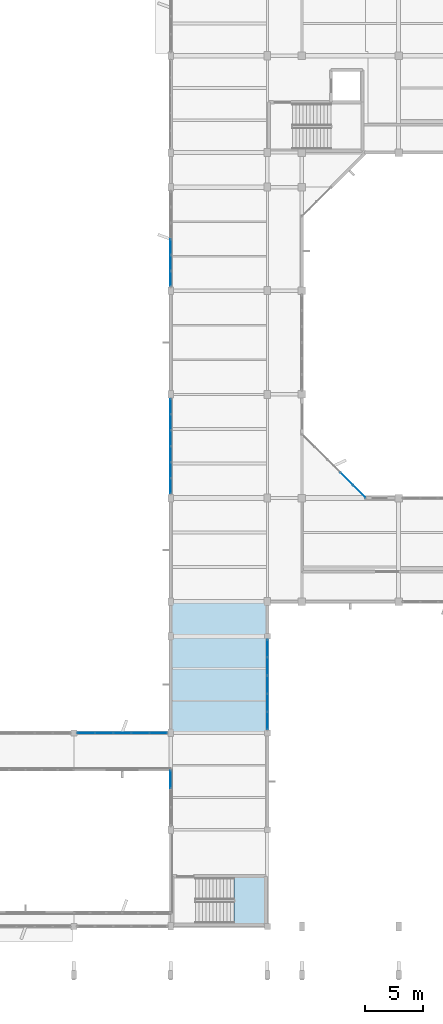
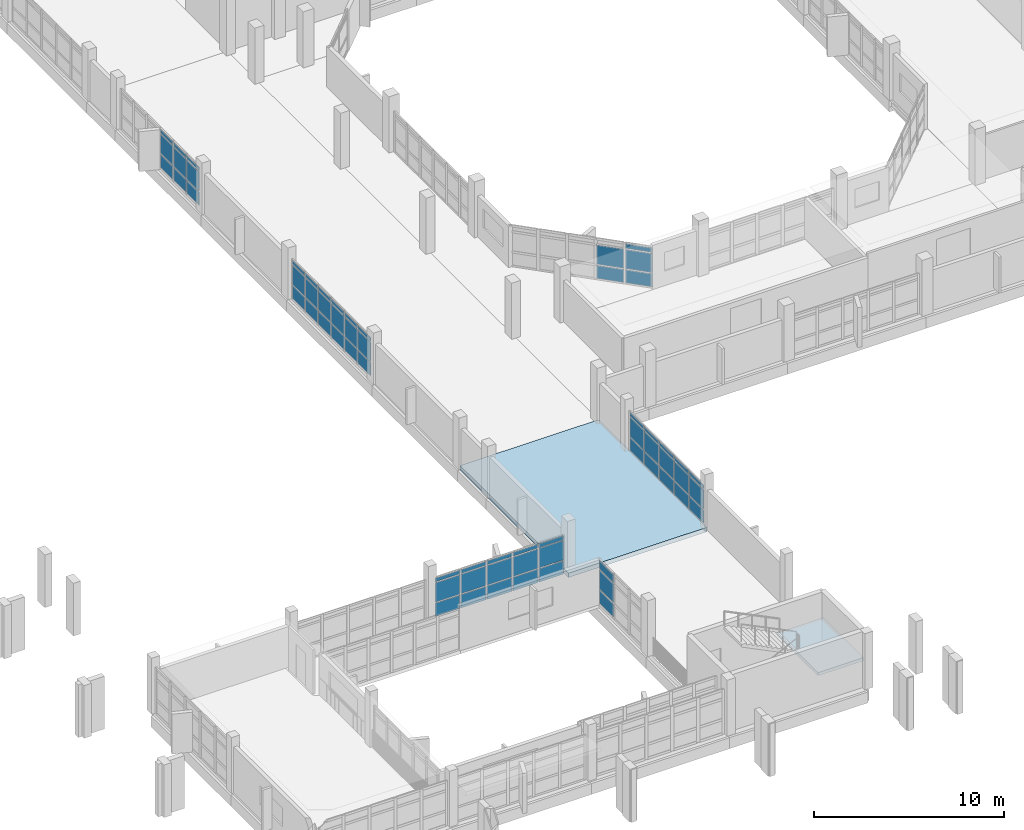
# One storey, part 51 of 104: 65 plates, 2 slabs, 7 elements without a shape of their own.
"""IFC4 building model written with IfcOpenShell, lengths in metres."""

from ifc_helpers import new_model, si_unit, direction, frame, origin, origin_2d, place, context, subcontext, project, spatial, polyline, rectangle, outline, extrude, material, layer, layer_set, type_object, element, aggregate, save


model = new_model("IFC4")

# Units and contexts
model_context = context("Model", 3, precision=1e-05, world=origin(), true_north=direction((0.0, 1.0)))
body_context = subcontext(model_context, "Body", "Model", "MODEL_VIEW")
ifc_project = project(units=[si_unit("LENGTHUNIT", "METRE"), si_unit("AREAUNIT", "SQUARE_METRE"), si_unit("VOLUMEUNIT", "CUBIC_METRE"), si_unit("PLANEANGLEUNIT", "RADIAN"), si_unit("MASSUNIT", "GRAM", prefix="KILO")], contexts=[model_context])

# Site, building, storey
site_placement = place(None, origin())
site = spatial("IfcSite", under=ifc_project, at=site_placement, CompositionType="ELEMENT")
building_placement = place(site_placement, origin())
building = spatial("IfcBuilding", under=site, at=building_placement, Name="Vanh Quang Courtyard School", CompositionType="ELEMENT")
storey_placement = place(building_placement, frame((0.0, 0.0, 4.199951171875)))
storey = spatial("IfcBuildingStorey", under=building, at=storey_placement, Name="L01", CompositionType="ELEMENT", Elevation=4.199951171875)

# Curtain wall, plates
ifc_material_1 = material(Name="Thermally broken aluminium unitised curtain wall", Category="aluminium")
curtain_wall_type_1 = type_object("IfcCurtainWallType", Name="CW-SYS-20", PredefinedType="NOTDEFINED", material=ifc_material_1)
curtain_wall_1_placement = place(storey_placement, origin())
curtain_wall_1 = element("IfcCurtainWall", 1, at=curtain_wall_1_placement, inside=storey, type_object=curtain_wall_type_1, Name="Curtain Wall CW-20 (L01)", PredefinedType="NOTDEFINED")
ifc_material_2 = material(Name="Low-E laminated double glazing", Category="glass")
ifc_layer_1 = layer(ifc_material_2, 0.028076171875)
ifc_layer_set_1 = layer_set([ifc_layer_1], Name="Low-E laminated double glazing")
plate_type_1 = type_object("IfcPlateType", Name="CW-PNL-28", PredefinedType="CURTAIN_PANEL", material=ifc_layer_set_1)
plate_1_placement = place(storey_placement, frame((29.39990234375, 42.445068359375, 0.06982421875), z_axis=(0.0, 0.0, 1.0), x_axis=(0.0, 1.0, 0.0)))
plate_1 = element("IfcPlate", 2, at=plate_1_placement, type_object=plate_type_1, Name="CW-20 panel 1.1", PredefinedType="CURTAIN_PANEL", context=body_context, shape_type="SweptSolid", body=[
    extrude(rectangle(XDim=1.283935546875, YDim=0.028076171875, at=origin_2d()), origin(), (0.0, 0.0, 1.0), 0.844970703125),
])
plate_2_placement = place(storey_placement, frame((29.39990234375, 42.445068359375, 0.985107421875), z_axis=(0.0, 0.0, 1.0), x_axis=(0.0, 1.0, 0.0)))
plate_2 = element("IfcPlate", 3, at=plate_2_placement, type_object=plate_type_1, Name="CW-20 panel 1.2", PredefinedType="CURTAIN_PANEL", context=body_context, shape_type="SweptSolid", body=[
    extrude(rectangle(XDim=1.283935546875, YDim=0.028076171875, at=origin_2d()), origin(), (0.0, 0.0, 1.0), 1.22998046875),
])
plate_3_placement = place(storey_placement, frame((29.39990234375, 42.445068359375, 2.284912109375), z_axis=(0.0, 0.0, 1.0), x_axis=(0.0, 1.0, 0.0)))
plate_3 = element("IfcPlate", 4, at=plate_3_placement, type_object=plate_type_1, Name="CW-20 panel 1.3", PredefinedType="CURTAIN_PANEL", context=body_context, shape_type="SweptSolid", body=[
    extrude(rectangle(XDim=1.283935546875, YDim=0.028076171875, at=origin_2d()), origin(), (0.0, 0.0, 1.0), 0.22509765625),
])
plate_4_placement = place(storey_placement, frame((29.39990234375, 43.81640625, 0.06982421875), z_axis=(0.0, 0.0, 1.0), x_axis=(0.0, 1.0, 0.0)))
plate_4 = element("IfcPlate", 5, at=plate_4_placement, type_object=plate_type_1, Name="CW-20 panel 2.1", PredefinedType="CURTAIN_PANEL", context=body_context, shape_type="SweptSolid", body=[
    extrude(rectangle(XDim=1.319091796875, YDim=0.028076171875, at=origin_2d()), origin(), (0.0, 0.0, 1.0), 0.844970703125),
])
plate_5_placement = place(storey_placement, frame((29.39990234375, 43.81640625, 0.985107421875), z_axis=(0.0, 0.0, 1.0), x_axis=(0.0, 1.0, 0.0)))
plate_5 = element("IfcPlate", 6, at=plate_5_placement, type_object=plate_type_1, Name="CW-20 panel 2.2", PredefinedType="CURTAIN_PANEL", context=body_context, shape_type="SweptSolid", body=[
    extrude(rectangle(XDim=1.319091796875, YDim=0.028076171875, at=origin_2d()), origin(), (0.0, 0.0, 1.0), 1.22998046875),
])
plate_6_placement = place(storey_placement, frame((29.39990234375, 43.81640625, 2.284912109375), z_axis=(0.0, 0.0, 1.0), x_axis=(0.0, 1.0, 0.0)))
plate_6 = element("IfcPlate", 7, at=plate_6_placement, type_object=plate_type_1, Name="CW-20 panel 2.3", PredefinedType="CURTAIN_PANEL", context=body_context, shape_type="SweptSolid", body=[
    extrude(rectangle(XDim=1.319091796875, YDim=0.028076171875, at=origin_2d()), origin(), (0.0, 0.0, 1.0), 0.22509765625),
])
plate_7_placement = place(storey_placement, frame((29.39990234375, 45.20556640625, 0.06982421875), z_axis=(0.0, 0.0, 1.0), x_axis=(0.0, 1.0, 0.0)))
plate_7 = element("IfcPlate", 8, at=plate_7_placement, type_object=plate_type_1, Name="CW-20 panel 3.1", PredefinedType="CURTAIN_PANEL", context=body_context, shape_type="SweptSolid", body=[
    extrude(rectangle(XDim=1.319091796875, YDim=0.028076171875, at=origin_2d()), origin(), (0.0, 0.0, 1.0), 0.844970703125),
])
plate_8_placement = place(storey_placement, frame((29.39990234375, 45.20556640625, 0.985107421875), z_axis=(0.0, 0.0, 1.0), x_axis=(0.0, 1.0, 0.0)))
plate_8 = element("IfcPlate", 9, at=plate_8_placement, type_object=plate_type_1, Name="CW-20 panel 3.2", PredefinedType="CURTAIN_PANEL", context=body_context, shape_type="SweptSolid", body=[
    extrude(rectangle(XDim=1.319091796875, YDim=0.028076171875, at=origin_2d()), origin(), (0.0, 0.0, 1.0), 1.22998046875),
])
plate_9_placement = place(storey_placement, frame((29.39990234375, 45.20556640625, 2.284912109375), z_axis=(0.0, 0.0, 1.0), x_axis=(0.0, 1.0, 0.0)))
plate_9 = element("IfcPlate", 10, at=plate_9_placement, type_object=plate_type_1, Name="CW-20 panel 3.3", PredefinedType="CURTAIN_PANEL", context=body_context, shape_type="SweptSolid", body=[
    extrude(rectangle(XDim=1.319091796875, YDim=0.028076171875, at=origin_2d()), origin(), (0.0, 0.0, 1.0), 0.22509765625),
])
plate_10_placement = place(storey_placement, frame((29.39990234375, 46.594482421875, 0.06982421875), z_axis=(0.0, 0.0, 1.0), x_axis=(0.0, 1.0, 0.0)))
plate_10 = element("IfcPlate", 11, at=plate_10_placement, type_object=plate_type_1, Name="CW-20 panel 4.1", PredefinedType="CURTAIN_PANEL", context=body_context, shape_type="SweptSolid", body=[
    extrude(rectangle(XDim=1.319091796875, YDim=0.028076171875, at=origin_2d()), origin(), (0.0, 0.0, 1.0), 0.844970703125),
])
plate_11_placement = place(storey_placement, frame((29.39990234375, 46.594482421875, 0.985107421875), z_axis=(0.0, 0.0, 1.0), x_axis=(0.0, 1.0, 0.0)))
plate_11 = element("IfcPlate", 12, at=plate_11_placement, type_object=plate_type_1, Name="CW-20 panel 4.2", PredefinedType="CURTAIN_PANEL", context=body_context, shape_type="SweptSolid", body=[
    extrude(rectangle(XDim=1.319091796875, YDim=0.028076171875, at=origin_2d()), origin(), (0.0, 0.0, 1.0), 1.22998046875),
])
plate_12_placement = place(storey_placement, frame((29.39990234375, 46.594482421875, 2.284912109375), z_axis=(0.0, 0.0, 1.0), x_axis=(0.0, 1.0, 0.0)))
plate_12 = element("IfcPlate", 13, at=plate_12_placement, type_object=plate_type_1, Name="CW-20 panel 4.3", PredefinedType="CURTAIN_PANEL", context=body_context, shape_type="SweptSolid", body=[
    extrude(rectangle(XDim=1.319091796875, YDim=0.028076171875, at=origin_2d()), origin(), (0.0, 0.0, 1.0), 0.22509765625),
])
plate_13_placement = place(storey_placement, frame((29.39990234375, 47.9833984375, 0.06982421875), z_axis=(0.0, 0.0, 1.0), x_axis=(0.0, 1.0, 0.0)))
plate_13 = element("IfcPlate", 14, at=plate_13_placement, type_object=plate_type_1, Name="CW-20 panel 5.1", PredefinedType="CURTAIN_PANEL", context=body_context, shape_type="SweptSolid", body=[
    extrude(rectangle(XDim=1.319091796875, YDim=0.028076171875, at=origin_2d()), origin(), (0.0, 0.0, 1.0), 0.844970703125),
])
plate_14_placement = place(storey_placement, frame((29.39990234375, 47.9833984375, 0.985107421875), z_axis=(0.0, 0.0, 1.0), x_axis=(0.0, 1.0, 0.0)))
plate_14 = element("IfcPlate", 15, at=plate_14_placement, type_object=plate_type_1, Name="CW-20 panel 5.2", PredefinedType="CURTAIN_PANEL", context=body_context, shape_type="SweptSolid", body=[
    extrude(rectangle(XDim=1.319091796875, YDim=0.028076171875, at=origin_2d()), origin(), (0.0, 0.0, 1.0), 1.22998046875),
])
plate_15_placement = place(storey_placement, frame((29.39990234375, 47.9833984375, 2.284912109375), z_axis=(0.0, 0.0, 1.0), x_axis=(0.0, 1.0, 0.0)))
plate_15 = element("IfcPlate", 16, at=plate_15_placement, type_object=plate_type_1, Name="CW-20 panel 5.3", PredefinedType="CURTAIN_PANEL", context=body_context, shape_type="SweptSolid", body=[
    extrude(rectangle(XDim=1.319091796875, YDim=0.028076171875, at=origin_2d()), origin(), (0.0, 0.0, 1.0), 0.22509765625),
])
plate_16_placement = place(storey_placement, frame((29.39990234375, 49.35498046875, 0.06982421875), z_axis=(0.0, 0.0, 1.0), x_axis=(0.0, 1.0, 0.0)))
plate_16 = element("IfcPlate", 17, at=plate_16_placement, type_object=plate_type_1, Name="CW-20 panel 6.1", PredefinedType="CURTAIN_PANEL", context=body_context, shape_type="SweptSolid", body=[
    extrude(rectangle(XDim=1.283935546875, YDim=0.028076171875, at=origin_2d()), origin(), (0.0, 0.0, 1.0), 0.844970703125),
])
plate_17_placement = place(storey_placement, frame((29.39990234375, 49.35498046875, 0.985107421875), z_axis=(0.0, 0.0, 1.0), x_axis=(0.0, 1.0, 0.0)))
plate_17 = element("IfcPlate", 18, at=plate_17_placement, type_object=plate_type_1, Name="CW-20 panel 6.2", PredefinedType="CURTAIN_PANEL", context=body_context, shape_type="SweptSolid", body=[
    extrude(rectangle(XDim=1.283935546875, YDim=0.028076171875, at=origin_2d()), origin(), (0.0, 0.0, 1.0), 1.22998046875),
])
plate_18_placement = place(storey_placement, frame((29.39990234375, 49.35498046875, 2.284912109375), z_axis=(0.0, 0.0, 1.0), x_axis=(0.0, 1.0, 0.0)))
plate_18 = element("IfcPlate", 19, at=plate_18_placement, type_object=plate_type_1, Name="CW-20 panel 6.3", PredefinedType="CURTAIN_PANEL", context=body_context, shape_type="SweptSolid", body=[
    extrude(rectangle(XDim=1.283935546875, YDim=0.028076171875, at=origin_2d()), origin(), (0.0, 0.0, 1.0), 0.22509765625),
])
aggregate(curtain_wall_1, [plate_1, plate_2, plate_3, plate_4, plate_5, plate_6, plate_7, plate_8, plate_9, plate_10, plate_11, plate_12, plate_13, plate_14, plate_15, plate_16, plate_17, plate_18])

curtain_wall_type_2 = type_object("IfcCurtainWallType", Name="CW-SYS-32", PredefinedType="NOTDEFINED", material=ifc_material_1)
curtain_wall_2_placement = place(storey_placement, origin())
curtain_wall_2 = element("IfcCurtainWall", 20, at=curtain_wall_2_placement, inside=storey, type_object=curtain_wall_type_2, Name="Curtain Wall CW-32 (L01)", PredefinedType="NOTDEFINED")
plate_19_placement = place(storey_placement, frame((29.39990234375, 16.96875, 0.080078125), z_axis=(0.0, 0.0, 1.0), x_axis=(0.0, 1.0, 0.0)))
plate_19 = element("IfcPlate", 21, at=plate_19_placement, type_object=plate_type_1, Name="CW-32 panel 3.1", PredefinedType="CURTAIN_PANEL", context=body_context, shape_type="SweptSolid", body=[
    extrude(rectangle(XDim=1.50244140625, YDim=0.028076171875, at=origin_2d()), origin(), (0.0, 0.0, 1.0), 0.830078125),
])
plate_20_placement = place(storey_placement, frame((29.39990234375, 16.96875, 0.990234375), z_axis=(0.0, 0.0, 1.0), x_axis=(0.0, 1.0, 0.0)))
plate_20 = element("IfcPlate", 22, at=plate_20_placement, type_object=plate_type_1, Name="CW-32 panel 3.2", PredefinedType="CURTAIN_PANEL", context=body_context, shape_type="SweptSolid", body=[
    extrude(rectangle(XDim=1.50244140625, YDim=0.028076171875, at=origin_2d()), origin(), (0.0, 0.0, 1.0), 1.219970703125),
])
plate_21_placement = place(storey_placement, frame((29.39990234375, 16.96875, 2.2900390625), z_axis=(0.0, 0.0, 1.0), x_axis=(0.0, 1.0, 0.0)))
plate_21 = element("IfcPlate", 23, at=plate_21_placement, type_object=plate_type_1, Name="CW-32 panel 3.3", PredefinedType="CURTAIN_PANEL", context=body_context, shape_type="SweptSolid", body=[
    extrude(rectangle(XDim=1.50244140625, YDim=0.028076171875, at=origin_2d()), origin(), (0.0, 0.0, 1.0), 0.510009765625),
])
aggregate(curtain_wall_2, [plate_19, plate_20, plate_21])

curtain_wall_type_3 = type_object("IfcCurtainWallType", Name="CW-SYS-24", PredefinedType="NOTDEFINED", material=ifc_material_1)
curtain_wall_3_placement = place(storey_placement, origin())
curtain_wall_3 = element("IfcCurtainWall", 24, at=curtain_wall_3_placement, inside=storey, type_object=curtain_wall_type_3, Name="Curtain Wall CW-24 (L01)", PredefinedType="NOTDEFINED")
plate_22_placement = place(storey_placement, frame((44.680908203125, 43.063232421875, 0.06982421875), z_axis=(0.0, 0.0, 1.0), x_axis=(0.707106781187, -0.707106781187, 0.0)))
plate_22 = element("IfcPlate", 25, at=plate_22_placement, type_object=plate_type_1, Name="CW-24 panel 4.1", PredefinedType="CURTAIN_PANEL", context=body_context, shape_type="SweptSolid", body=[
    extrude(rectangle(XDim=1.498046875, YDim=0.028076171875, at=origin_2d()), origin(), (0.0, 0.0, 1.0), 0.844970703125),
])
plate_23_placement = place(storey_placement, frame((44.680908203125, 43.063232421875, 0.985107421875), z_axis=(0.0, 0.0, 1.0), x_axis=(0.707106781187, -0.707106781187, 0.0)))
plate_23 = element("IfcPlate", 26, at=plate_23_placement, type_object=plate_type_1, Name="CW-24 panel 4.2", PredefinedType="CURTAIN_PANEL", context=body_context, shape_type="SweptSolid", body=[
    extrude(rectangle(XDim=1.498046875, YDim=0.028076171875, at=origin_2d()), origin(), (0.0, 0.0, 1.0), 1.22998046875),
])
plate_24_placement = place(storey_placement, frame((45.77734375, 41.966796875, 0.06982421875), z_axis=(0.0, 0.0, 1.0), x_axis=(0.707106781187, -0.707106781187, 0.0)))
plate_24 = element("IfcPlate", 27, at=plate_24_placement, type_object=plate_type_1, Name="CW-24 panel 5.1", PredefinedType="CURTAIN_PANEL", context=body_context, shape_type="SweptSolid", body=[
    extrude(rectangle(XDim=1.463134765625, YDim=0.028076171875, at=origin_2d()), origin(), (0.0, 0.0, 1.0), 0.844970703125),
])
plate_25_placement = place(storey_placement, frame((45.77734375, 41.966796875, 0.985107421875), z_axis=(0.0, 0.0, 1.0), x_axis=(0.707106781187, -0.707106781187, 0.0)))
plate_25 = element("IfcPlate", 28, at=plate_25_placement, type_object=plate_type_1, Name="CW-24 panel 5.2", PredefinedType="CURTAIN_PANEL", context=body_context, shape_type="SweptSolid", body=[
    extrude(rectangle(XDim=1.463134765625, YDim=0.028076171875, at=origin_2d()), origin(), (0.0, 0.0, 1.0), 1.22998046875),
])
plate_26_placement = place(storey_placement, frame((45.77734375, 41.966796875, 2.28515625), z_axis=(0.0, 0.0, 1.0), x_axis=(0.707106781187, -0.707106781187, 0.0)))
plate_26 = element("IfcPlate", 29, at=plate_26_placement, type_object=plate_type_1, Name="CW-24 panel 5.3", PredefinedType="CURTAIN_PANEL", context=body_context, shape_type="SweptSolid", body=[
    extrude(rectangle(XDim=1.463134765625, YDim=0.028076171875, at=origin_2d()), origin(), (0.0, 0.0, 1.0), 0.294921875),
])
aggregate(curtain_wall_3, [plate_22, plate_23, plate_24, plate_25, plate_26])

curtain_wall_type_4 = type_object("IfcCurtainWallType", Name="CW-SYS-19", PredefinedType="NOTDEFINED", material=ifc_material_1)
curtain_wall_4_placement = place(storey_placement, origin())
curtain_wall_4 = element("IfcCurtainWall", 30, at=curtain_wall_4_placement, inside=storey, type_object=curtain_wall_type_4, Name="Curtain Wall CW-19 (L01)", PredefinedType="NOTDEFINED")
ifc_layer_2 = layer(ifc_material_2, 0.031982421875)
ifc_layer_set_2 = layer_set([ifc_layer_2], Name="Low-E laminated double glazing")
plate_type_2 = type_object("IfcPlateType", Name="CW-PNL-32", PredefinedType="CURTAIN_PANEL", material=ifc_layer_set_2)
plate_27_placement = place(storey_placement, frame((22.061279296875, 21.0, 0.06005859375), z_axis=(0.0, 0.0, 1.0), x_axis=(1.0, 0.0, 0.0)))
plate_27 = element("IfcPlate", 31, at=plate_27_placement, type_object=plate_type_2, Name="CW-19 panel 1.1", PredefinedType="CURTAIN_PANEL", context=body_context, shape_type="SweptSolid", body=[
    extrude(rectangle(XDim=1.48681640625, YDim=0.031982421875, at=origin_2d()), origin(), (0.0, 0.0, 1.0), 0.860107421875),
])
plate_28_placement = place(storey_placement, frame((22.061279296875, 21.0, 0.97998046875), z_axis=(0.0, 0.0, 1.0), x_axis=(1.0, 0.0, 0.0)))
plate_28 = element("IfcPlate", 32, at=plate_28_placement, type_object=plate_type_2, Name="CW-19 panel 1.2", PredefinedType="CURTAIN_PANEL", context=body_context, shape_type="SweptSolid", body=[
    extrude(rectangle(XDim=1.48681640625, YDim=0.031982421875, at=origin_2d()), origin(), (0.0, 0.0, 1.0), 1.239990234375),
])
plate_29_placement = place(storey_placement, frame((22.061279296875, 21.0, 2.2802734375), z_axis=(0.0, 0.0, 1.0), x_axis=(1.0, 0.0, 0.0)))
plate_29 = element("IfcPlate", 33, at=plate_29_placement, type_object=plate_type_2, Name="CW-19 panel 1.3", PredefinedType="CURTAIN_PANEL", context=body_context, shape_type="SweptSolid", body=[
    extrude(rectangle(XDim=1.48681640625, YDim=0.031982421875, at=origin_2d()), origin(), (0.0, 0.0, 1.0), 0.239990234375),
])
plate_30_placement = place(storey_placement, frame((23.623291015625, 21.0, 0.06005859375), z_axis=(0.0, 0.0, 1.0), x_axis=(1.0, 0.0, 0.0)))
plate_30 = element("IfcPlate", 34, at=plate_30_placement, type_object=plate_type_2, Name="CW-19 panel 2.1", PredefinedType="CURTAIN_PANEL", context=body_context, shape_type="SweptSolid", body=[
    extrude(rectangle(XDim=1.516845703125, YDim=0.031982421875, at=origin_2d()), origin(), (0.0, 0.0, 1.0), 0.860107421875),
])
plate_31_placement = place(storey_placement, frame((23.623291015625, 21.0, 0.97998046875), z_axis=(0.0, 0.0, 1.0), x_axis=(1.0, 0.0, 0.0)))
plate_31 = element("IfcPlate", 35, at=plate_31_placement, type_object=plate_type_2, Name="CW-19 panel 2.2", PredefinedType="CURTAIN_PANEL", context=body_context, shape_type="SweptSolid", body=[
    extrude(rectangle(XDim=1.516845703125, YDim=0.031982421875, at=origin_2d()), origin(), (0.0, 0.0, 1.0), 1.239990234375),
])
plate_32_placement = place(storey_placement, frame((23.623291015625, 21.0, 2.2802734375), z_axis=(0.0, 0.0, 1.0), x_axis=(1.0, 0.0, 0.0)))
plate_32 = element("IfcPlate", 36, at=plate_32_placement, type_object=plate_type_2, Name="CW-19 panel 2.3", PredefinedType="CURTAIN_PANEL", context=body_context, shape_type="SweptSolid", body=[
    extrude(rectangle(XDim=1.516845703125, YDim=0.031982421875, at=origin_2d()), origin(), (0.0, 0.0, 1.0), 0.239990234375),
])
plate_33_placement = place(storey_placement, frame((25.199951171875, 21.0, 0.06005859375), z_axis=(0.0, 0.0, 1.0), x_axis=(1.0, 0.0, 0.0)))
plate_33 = element("IfcPlate", 37, at=plate_33_placement, type_object=plate_type_2, Name="CW-19 panel 3.1", PredefinedType="CURTAIN_PANEL", context=body_context, shape_type="SweptSolid", body=[
    extrude(rectangle(XDim=1.516845703125, YDim=0.031982421875, at=origin_2d()), origin(), (0.0, 0.0, 1.0), 0.860107421875),
])
plate_34_placement = place(storey_placement, frame((25.199951171875, 21.0, 0.97998046875), z_axis=(0.0, 0.0, 1.0), x_axis=(1.0, 0.0, 0.0)))
plate_34 = element("IfcPlate", 38, at=plate_34_placement, type_object=plate_type_2, Name="CW-19 panel 3.2", PredefinedType="CURTAIN_PANEL", context=body_context, shape_type="SweptSolid", body=[
    extrude(rectangle(XDim=1.516845703125, YDim=0.031982421875, at=origin_2d()), origin(), (0.0, 0.0, 1.0), 1.239990234375),
])
plate_35_placement = place(storey_placement, frame((25.199951171875, 21.0, 2.2802734375), z_axis=(0.0, 0.0, 1.0), x_axis=(1.0, 0.0, 0.0)))
plate_35 = element("IfcPlate", 39, at=plate_35_placement, type_object=plate_type_2, Name="CW-19 panel 3.3", PredefinedType="CURTAIN_PANEL", context=body_context, shape_type="SweptSolid", body=[
    extrude(rectangle(XDim=1.516845703125, YDim=0.031982421875, at=origin_2d()), origin(), (0.0, 0.0, 1.0), 0.239990234375),
])
plate_36_placement = place(storey_placement, frame((26.77685546875, 21.0, 0.06005859375), z_axis=(0.0, 0.0, 1.0), x_axis=(1.0, 0.0, 0.0)))
plate_36 = element("IfcPlate", 40, at=plate_36_placement, type_object=plate_type_2, Name="CW-19 panel 4.1", PredefinedType="CURTAIN_PANEL", context=body_context, shape_type="SweptSolid", body=[
    extrude(rectangle(XDim=1.516845703125, YDim=0.031982421875, at=origin_2d()), origin(), (0.0, 0.0, 1.0), 0.860107421875),
])
plate_37_placement = place(storey_placement, frame((26.77685546875, 21.0, 0.97998046875), z_axis=(0.0, 0.0, 1.0), x_axis=(1.0, 0.0, 0.0)))
plate_37 = element("IfcPlate", 41, at=plate_37_placement, type_object=plate_type_2, Name="CW-19 panel 4.2", PredefinedType="CURTAIN_PANEL", context=body_context, shape_type="SweptSolid", body=[
    extrude(rectangle(XDim=1.516845703125, YDim=0.031982421875, at=origin_2d()), origin(), (0.0, 0.0, 1.0), 1.239990234375),
])
plate_38_placement = place(storey_placement, frame((26.77685546875, 21.0, 2.2802734375), z_axis=(0.0, 0.0, 1.0), x_axis=(1.0, 0.0, 0.0)))
plate_38 = element("IfcPlate", 42, at=plate_38_placement, type_object=plate_type_2, Name="CW-19 panel 4.3", PredefinedType="CURTAIN_PANEL", context=body_context, shape_type="SweptSolid", body=[
    extrude(rectangle(XDim=1.516845703125, YDim=0.031982421875, at=origin_2d()), origin(), (0.0, 0.0, 1.0), 0.239990234375),
])
plate_39_placement = place(storey_placement, frame((28.338623046875, 21.0, 0.06005859375), z_axis=(0.0, 0.0, 1.0), x_axis=(1.0, 0.0, 0.0)))
plate_39 = element("IfcPlate", 43, at=plate_39_placement, type_object=plate_type_2, Name="CW-19 panel 5.1", PredefinedType="CURTAIN_PANEL", context=body_context, shape_type="SweptSolid", body=[
    extrude(rectangle(XDim=1.48681640625, YDim=0.031982421875, at=origin_2d()), origin(), (0.0, 0.0, 1.0), 0.860107421875),
])
plate_40_placement = place(storey_placement, frame((28.338623046875, 21.0, 0.97998046875), z_axis=(0.0, 0.0, 1.0), x_axis=(1.0, 0.0, 0.0)))
plate_40 = element("IfcPlate", 44, at=plate_40_placement, type_object=plate_type_2, Name="CW-19 panel 5.2", PredefinedType="CURTAIN_PANEL", context=body_context, shape_type="SweptSolid", body=[
    extrude(rectangle(XDim=1.48681640625, YDim=0.031982421875, at=origin_2d()), origin(), (0.0, 0.0, 1.0), 1.239990234375),
])
plate_41_placement = place(storey_placement, frame((28.338623046875, 21.0, 2.2802734375), z_axis=(0.0, 0.0, 1.0), x_axis=(1.0, 0.0, 0.0)))
plate_41 = element("IfcPlate", 45, at=plate_41_placement, type_object=plate_type_2, Name="CW-19 panel 5.3", PredefinedType="CURTAIN_PANEL", context=body_context, shape_type="SweptSolid", body=[
    extrude(rectangle(XDim=1.48681640625, YDim=0.031982421875, at=origin_2d()), origin(), (0.0, 0.0, 1.0), 0.239990234375),
])
aggregate(curtain_wall_4, [plate_27, plate_28, plate_29, plate_30, plate_31, plate_32, plate_33, plate_34, plate_35, plate_36, plate_37, plate_38, plate_39, plate_40, plate_41])

curtain_wall_5_placement = place(storey_placement, origin())
curtain_wall_5 = element("IfcCurtainWall", 46, at=curtain_wall_5_placement, inside=storey, type_object=curtain_wall_type_1, Name="Curtain Wall CW-20 (L01)", PredefinedType="NOTDEFINED")
plate_42_placement = place(storey_placement, frame((29.39990234375, 60.447509765625, 0.080078125), z_axis=(0.0, 0.0, 1.0), x_axis=(0.0, 1.0, 0.0)))
plate_42 = element("IfcPlate", 47, at=plate_42_placement, type_object=plate_type_2, Name="CW-20 panel 1.1", PredefinedType="CURTAIN_PANEL", context=body_context, shape_type="SweptSolid", body=[
    extrude(rectangle(XDim=1.26904296875, YDim=0.031982421875, at=origin_2d()), origin(), (0.0, 0.0, 1.0), 0.830078125),
])
plate_43_placement = place(storey_placement, frame((29.39990234375, 60.447509765625, 0.990234375), z_axis=(0.0, 0.0, 1.0), x_axis=(0.0, 1.0, 0.0)))
plate_43 = element("IfcPlate", 48, at=plate_43_placement, type_object=plate_type_2, Name="CW-20 panel 1.2", PredefinedType="CURTAIN_PANEL", context=body_context, shape_type="SweptSolid", body=[
    extrude(rectangle(XDim=1.26904296875, YDim=0.031982421875, at=origin_2d()), origin(), (0.0, 0.0, 1.0), 1.219970703125),
])
plate_44_placement = place(storey_placement, frame((29.39990234375, 60.447509765625, 2.2900390625), z_axis=(0.0, 0.0, 1.0), x_axis=(0.0, 1.0, 0.0)))
plate_44 = element("IfcPlate", 49, at=plate_44_placement, type_object=plate_type_2, Name="CW-20 panel 1.3", PredefinedType="CURTAIN_PANEL", context=body_context, shape_type="SweptSolid", body=[
    extrude(rectangle(XDim=1.26904296875, YDim=0.031982421875, at=origin_2d()), origin(), (0.0, 0.0, 1.0), 0.2099609375),
])
plate_45_placement = place(storey_placement, frame((29.39990234375, 61.81640625, 0.080078125), z_axis=(0.0, 0.0, 1.0), x_axis=(0.0, 1.0, 0.0)))
plate_45 = element("IfcPlate", 50, at=plate_45_placement, type_object=plate_type_2, Name="CW-20 panel 2.1", PredefinedType="CURTAIN_PANEL", context=body_context, shape_type="SweptSolid", body=[
    extrude(rectangle(XDim=1.30908203125, YDim=0.031982421875, at=origin_2d()), origin(), (0.0, 0.0, 1.0), 0.830078125),
])
plate_46_placement = place(storey_placement, frame((29.39990234375, 61.81640625, 0.990234375), z_axis=(0.0, 0.0, 1.0), x_axis=(0.0, 1.0, 0.0)))
plate_46 = element("IfcPlate", 51, at=plate_46_placement, type_object=plate_type_2, Name="CW-20 panel 2.2", PredefinedType="CURTAIN_PANEL", context=body_context, shape_type="SweptSolid", body=[
    extrude(rectangle(XDim=1.30908203125, YDim=0.031982421875, at=origin_2d()), origin(), (0.0, 0.0, 1.0), 1.219970703125),
])
plate_47_placement = place(storey_placement, frame((29.39990234375, 61.81640625, 2.2900390625), z_axis=(0.0, 0.0, 1.0), x_axis=(0.0, 1.0, 0.0)))
plate_47 = element("IfcPlate", 52, at=plate_47_placement, type_object=plate_type_2, Name="CW-20 panel 2.3", PredefinedType="CURTAIN_PANEL", context=body_context, shape_type="SweptSolid", body=[
    extrude(rectangle(XDim=1.30908203125, YDim=0.031982421875, at=origin_2d()), origin(), (0.0, 0.0, 1.0), 0.2099609375),
])
plate_48_placement = place(storey_placement, frame((29.39990234375, 63.20556640625, 0.080078125), z_axis=(0.0, 0.0, 1.0), x_axis=(0.0, 1.0, 0.0)))
plate_48 = element("IfcPlate", 53, at=plate_48_placement, type_object=plate_type_2, Name="CW-20 panel 3.1", PredefinedType="CURTAIN_PANEL", context=body_context, shape_type="SweptSolid", body=[
    extrude(rectangle(XDim=1.30908203125, YDim=0.031982421875, at=origin_2d()), origin(), (0.0, 0.0, 1.0), 0.830078125),
])
plate_49_placement = place(storey_placement, frame((29.39990234375, 63.20556640625, 0.990234375), z_axis=(0.0, 0.0, 1.0), x_axis=(0.0, 1.0, 0.0)))
plate_49 = element("IfcPlate", 54, at=plate_49_placement, type_object=plate_type_2, Name="CW-20 panel 3.2", PredefinedType="CURTAIN_PANEL", context=body_context, shape_type="SweptSolid", body=[
    extrude(rectangle(XDim=1.30908203125, YDim=0.031982421875, at=origin_2d()), origin(), (0.0, 0.0, 1.0), 1.219970703125),
])
plate_50_placement = place(storey_placement, frame((29.39990234375, 63.20556640625, 2.2900390625), z_axis=(0.0, 0.0, 1.0), x_axis=(0.0, 1.0, 0.0)))
plate_50 = element("IfcPlate", 55, at=plate_50_placement, type_object=plate_type_2, Name="CW-20 panel 3.3", PredefinedType="CURTAIN_PANEL", context=body_context, shape_type="SweptSolid", body=[
    extrude(rectangle(XDim=1.30908203125, YDim=0.031982421875, at=origin_2d()), origin(), (0.0, 0.0, 1.0), 0.2099609375),
])
aggregate(curtain_wall_5, [plate_42, plate_43, plate_44, plate_45, plate_46, plate_47, plate_48, plate_49, plate_50])

curtain_wall_6_placement = place(storey_placement, origin())
curtain_wall_6 = element("IfcCurtainWall", 56, at=curtain_wall_6_placement, inside=storey, type_object=curtain_wall_type_4, Name="Curtain Wall CW-19 (L01)", PredefinedType="NOTDEFINED")
plate_51_placement = place(storey_placement, frame((37.800048828125, 28.336181640625, 0.06982421875), z_axis=(0.0, 0.0, 1.0), x_axis=(0.0, -1.0, 0.0)))
plate_51 = element("IfcPlate", 57, at=plate_51_placement, type_object=plate_type_2, Name="CW-19 panel 1.1", PredefinedType="CURTAIN_PANEL", context=body_context, shape_type="SweptSolid", body=[
    extrude(rectangle(XDim=1.4716796875, YDim=0.031982421875, at=origin_2d()), origin(), (0.0, 0.0, 1.0), 0.844970703125),
])
plate_52_placement = place(storey_placement, frame((37.800048828125, 28.336181640625, 0.985107421875), z_axis=(0.0, 0.0, 1.0), x_axis=(0.0, -1.0, 0.0)))
plate_52 = element("IfcPlate", 58, at=plate_52_placement, type_object=plate_type_2, Name="CW-19 panel 1.2", PredefinedType="CURTAIN_PANEL", context=body_context, shape_type="SweptSolid", body=[
    extrude(rectangle(XDim=1.4716796875, YDim=0.031982421875, at=origin_2d()), origin(), (0.0, 0.0, 1.0), 1.22998046875),
])
plate_53_placement = place(storey_placement, frame((37.800048828125, 28.336181640625, 2.284912109375), z_axis=(0.0, 0.0, 1.0), x_axis=(0.0, -1.0, 0.0)))
plate_53 = element("IfcPlate", 59, at=plate_53_placement, type_object=plate_type_2, Name="CW-19 panel 1.3", PredefinedType="CURTAIN_PANEL", context=body_context, shape_type="SweptSolid", body=[
    extrude(rectangle(XDim=1.4716796875, YDim=0.031982421875, at=origin_2d()), origin(), (0.0, 0.0, 1.0), 0.22509765625),
])
plate_54_placement = place(storey_placement, frame((37.800048828125, 26.77685546875, 0.06982421875), z_axis=(0.0, 0.0, 1.0), x_axis=(0.0, -1.0, 0.0)))
plate_54 = element("IfcPlate", 60, at=plate_54_placement, type_object=plate_type_2, Name="CW-19 panel 2.1", PredefinedType="CURTAIN_PANEL", context=body_context, shape_type="SweptSolid", body=[
    extrude(rectangle(XDim=1.5068359375, YDim=0.031982421875, at=origin_2d()), origin(), (0.0, 0.0, 1.0), 0.844970703125),
])
plate_55_placement = place(storey_placement, frame((37.800048828125, 26.77685546875, 0.985107421875), z_axis=(0.0, 0.0, 1.0), x_axis=(0.0, -1.0, 0.0)))
plate_55 = element("IfcPlate", 61, at=plate_55_placement, type_object=plate_type_2, Name="CW-19 panel 2.2", PredefinedType="CURTAIN_PANEL", context=body_context, shape_type="SweptSolid", body=[
    extrude(rectangle(XDim=1.5068359375, YDim=0.031982421875, at=origin_2d()), origin(), (0.0, 0.0, 1.0), 1.22998046875),
])
plate_56_placement = place(storey_placement, frame((37.800048828125, 26.77685546875, 2.284912109375), z_axis=(0.0, 0.0, 1.0), x_axis=(0.0, -1.0, 0.0)))
plate_56 = element("IfcPlate", 62, at=plate_56_placement, type_object=plate_type_2, Name="CW-19 panel 2.3", PredefinedType="CURTAIN_PANEL", context=body_context, shape_type="SweptSolid", body=[
    extrude(rectangle(XDim=1.5068359375, YDim=0.031982421875, at=origin_2d()), origin(), (0.0, 0.0, 1.0), 0.22509765625),
])
plate_57_placement = place(storey_placement, frame((37.800048828125, 25.199951171875, 0.06982421875), z_axis=(0.0, 0.0, 1.0), x_axis=(0.0, -1.0, 0.0)))
plate_57 = element("IfcPlate", 63, at=plate_57_placement, type_object=plate_type_2, Name="CW-19 panel 3.1", PredefinedType="CURTAIN_PANEL", context=body_context, shape_type="SweptSolid", body=[
    extrude(rectangle(XDim=1.5068359375, YDim=0.031982421875, at=origin_2d()), origin(), (0.0, 0.0, 1.0), 0.844970703125),
])
plate_58_placement = place(storey_placement, frame((37.800048828125, 25.199951171875, 0.985107421875), z_axis=(0.0, 0.0, 1.0), x_axis=(0.0, -1.0, 0.0)))
plate_58 = element("IfcPlate", 64, at=plate_58_placement, type_object=plate_type_2, Name="CW-19 panel 3.2", PredefinedType="CURTAIN_PANEL", context=body_context, shape_type="SweptSolid", body=[
    extrude(rectangle(XDim=1.5068359375, YDim=0.031982421875, at=origin_2d()), origin(), (0.0, 0.0, 1.0), 1.22998046875),
])
plate_59_placement = place(storey_placement, frame((37.800048828125, 25.199951171875, 2.284912109375), z_axis=(0.0, 0.0, 1.0), x_axis=(0.0, -1.0, 0.0)))
plate_59 = element("IfcPlate", 65, at=plate_59_placement, type_object=plate_type_2, Name="CW-19 panel 3.3", PredefinedType="CURTAIN_PANEL", context=body_context, shape_type="SweptSolid", body=[
    extrude(rectangle(XDim=1.5068359375, YDim=0.031982421875, at=origin_2d()), origin(), (0.0, 0.0, 1.0), 0.22509765625),
])
plate_60_placement = place(storey_placement, frame((37.800048828125, 23.623291015625, 0.06982421875), z_axis=(0.0, 0.0, 1.0), x_axis=(0.0, -1.0, 0.0)))
plate_60 = element("IfcPlate", 66, at=plate_60_placement, type_object=plate_type_2, Name="CW-19 panel 4.1", PredefinedType="CURTAIN_PANEL", context=body_context, shape_type="SweptSolid", body=[
    extrude(rectangle(XDim=1.5068359375, YDim=0.031982421875, at=origin_2d()), origin(), (0.0, 0.0, 1.0), 0.844970703125),
])
plate_61_placement = place(storey_placement, frame((37.800048828125, 23.623291015625, 0.985107421875), z_axis=(0.0, 0.0, 1.0), x_axis=(0.0, -1.0, 0.0)))
plate_61 = element("IfcPlate", 67, at=plate_61_placement, type_object=plate_type_2, Name="CW-19 panel 4.2", PredefinedType="CURTAIN_PANEL", context=body_context, shape_type="SweptSolid", body=[
    extrude(rectangle(XDim=1.5068359375, YDim=0.031982421875, at=origin_2d()), origin(), (0.0, 0.0, 1.0), 1.22998046875),
])
plate_62_placement = place(storey_placement, frame((37.800048828125, 23.623291015625, 2.284912109375), z_axis=(0.0, 0.0, 1.0), x_axis=(0.0, -1.0, 0.0)))
plate_62 = element("IfcPlate", 68, at=plate_62_placement, type_object=plate_type_2, Name="CW-19 panel 4.3", PredefinedType="CURTAIN_PANEL", context=body_context, shape_type="SweptSolid", body=[
    extrude(rectangle(XDim=1.5068359375, YDim=0.031982421875, at=origin_2d()), origin(), (0.0, 0.0, 1.0), 0.22509765625),
])
plate_63_placement = place(storey_placement, frame((37.800048828125, 22.06396484375, 0.06982421875), z_axis=(0.0, 0.0, 1.0), x_axis=(0.0, -1.0, 0.0)))
plate_63 = element("IfcPlate", 69, at=plate_63_placement, type_object=plate_type_2, Name="CW-19 panel 5.1", PredefinedType="CURTAIN_PANEL", context=body_context, shape_type="SweptSolid", body=[
    extrude(rectangle(XDim=1.4716796875, YDim=0.031982421875, at=origin_2d()), origin(), (0.0, 0.0, 1.0), 0.844970703125),
])
plate_64_placement = place(storey_placement, frame((37.800048828125, 22.06396484375, 0.985107421875), z_axis=(0.0, 0.0, 1.0), x_axis=(0.0, -1.0, 0.0)))
plate_64 = element("IfcPlate", 70, at=plate_64_placement, type_object=plate_type_2, Name="CW-19 panel 5.2", PredefinedType="CURTAIN_PANEL", context=body_context, shape_type="SweptSolid", body=[
    extrude(rectangle(XDim=1.4716796875, YDim=0.031982421875, at=origin_2d()), origin(), (0.0, 0.0, 1.0), 1.22998046875),
])
plate_65_placement = place(storey_placement, frame((37.800048828125, 22.06396484375, 2.284912109375), z_axis=(0.0, 0.0, 1.0), x_axis=(0.0, -1.0, 0.0)))
plate_65 = element("IfcPlate", 71, at=plate_65_placement, type_object=plate_type_2, Name="CW-19 panel 5.3", PredefinedType="CURTAIN_PANEL", context=body_context, shape_type="SweptSolid", body=[
    extrude(rectangle(XDim=1.4716796875, YDim=0.031982421875, at=origin_2d()), origin(), (0.0, 0.0, 1.0), 0.22509765625),
])
aggregate(curtain_wall_6, [plate_51, plate_52, plate_53, plate_54, plate_55, plate_56, plate_57, plate_58, plate_59, plate_60, plate_61, plate_62, plate_63, plate_64, plate_65])

# Slab
ifc_material_3 = material(Name="Concrete C30/37", Category="concrete")
ifc_layer_3 = layer(ifc_material_3, 0.280029296875)
ifc_layer_set_3 = layer_set([ifc_layer_3], Name="Concrete C30/37")
slab_type_1 = type_object("IfcSlabType", Name="SLB-FLR-280", PredefinedType="FLOOR", material=ifc_layer_set_3)
slab_1_placement = place(storey_placement, frame((0.0, 0.0, -0.280029296875)))
element("IfcSlab", 72, at=slab_1_placement, inside=storey, type_object=slab_type_1, Name="Slab SF-02 (L01)", PredefinedType="FLOOR", context=body_context, shape_type="SweptSolid", body=[
    extrude(outline(polyline([(37.800048828125, 32.39990234375), (29.39990234375, 32.39990234375), (29.39990234375, 21.0), (37.800048828125, 21.0), (37.800048828125, 32.39990234375)])), origin(), (0.0, 0.0, 1.0), 0.280029296875),
])

# Stair, slab
stair_type = type_object("IfcStairType", Name="STR-CORE-1880", PredefinedType="HALF_TURN_STAIR", material=ifc_material_3)
stair_placement = place(storey_placement, origin())
stair = element("IfcStair", 73, at=stair_placement, inside=storey, type_object=stair_type, Name="L01 ST-06", PredefinedType="HALF_TURN_STAIR")
ifc_layer_4 = layer(ifc_material_3, 0.199951171875)
ifc_layer_set_4 = layer_set([ifc_layer_4], Name="Concrete C30/37")
slab_type_2 = type_object("IfcSlabType", Name="SLB-LND-200", PredefinedType="LANDING", material=ifc_layer_set_4)
slab_2_placement = place(storey_placement, frame((0.0, 0.0, 1.60009765625)))
slab_2 = element("IfcSlab", 74, at=slab_2_placement, type_object=slab_type_2, Name="ST-06 landing 1", PredefinedType="LANDING", context=body_context, shape_type="SweptSolid", body=[
    extrude(outline(polyline([(34.9150390625, 4.320068359375), (37.679931640625, 4.320068359375), (37.679931640625, 8.56005859375), (34.9150390625, 8.56005859375), (34.9150390625, 4.320068359375)])), origin(), (0.0, 0.0, 1.0), 0.199951171875),
])
aggregate(stair, [slab_2])

save(model, "model.ifc")
